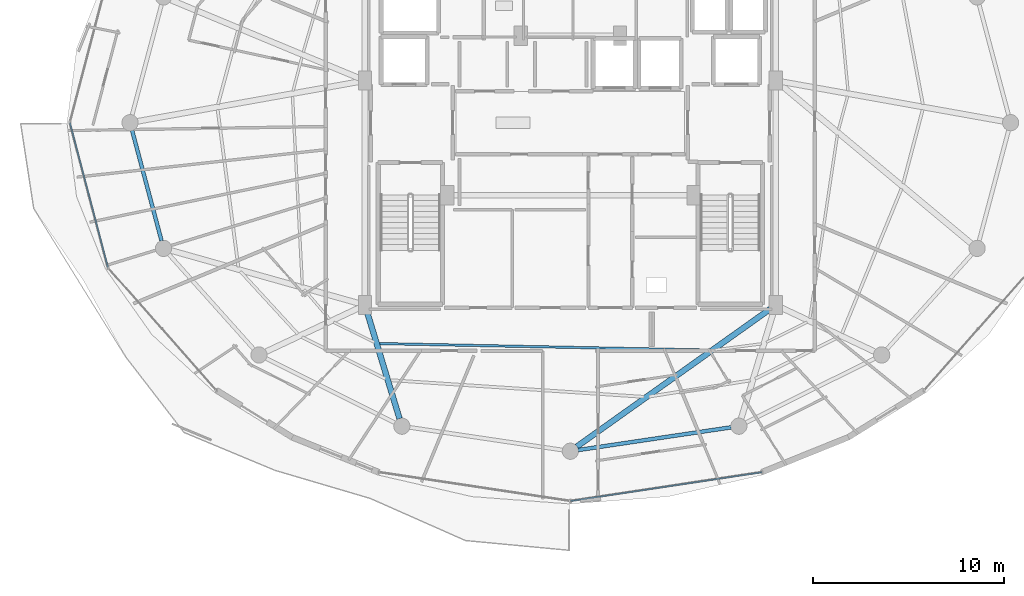
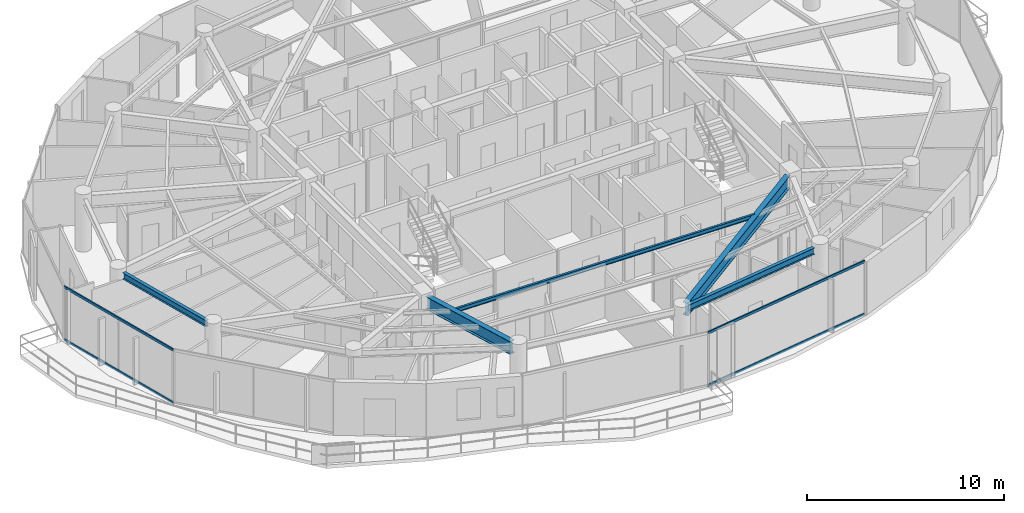
# One storey, part 6 of 31: 5 beams, 4 members, 2 elements without a shape of their own.
"""IFC4 building model written with IfcOpenShell, lengths in metres."""

from ifc_helpers import new_model, si_unit, direction, frame, origin, origin_2d, place, context, subcontext, project, spatial, hollow_rectangle, i_section, extrude, material, material_profile, profile_set, type_object, element, aggregate, save


model = new_model("IFC4")

# Units and contexts
model_context = context("Model", 3, precision=1e-05, world=origin(), true_north=direction((0.0, 1.0)))
body_context = subcontext(model_context, "Body", "Model", "MODEL_VIEW")
ifc_project = project(units=[si_unit("LENGTHUNIT", "METRE"), si_unit("AREAUNIT", "SQUARE_METRE"), si_unit("VOLUMEUNIT", "CUBIC_METRE"), si_unit("PLANEANGLEUNIT", "RADIAN"), si_unit("MASSUNIT", "GRAM", prefix="KILO")], contexts=[model_context])

# Site, building, storey
site_placement = place(None, origin())
site = spatial("IfcSite", under=ifc_project, at=site_placement, CompositionType="ELEMENT")
building_placement = place(site_placement, origin())
building = spatial("IfcBuilding", under=site, at=building_placement, Name="Vorneva Point Tower", CompositionType="ELEMENT")
storey_placement = place(building_placement, frame((0.0, 0.0, 248.449951171875)))
storey = spatial("IfcBuildingStorey", under=building, at=storey_placement, Name="L67", CompositionType="ELEMENT", Elevation=248.449951171875)

# Beams
ifc_material_1 = material(Name="Steel S355", Category="steel")
ifc_material_profile_1 = material_profile(ifc_material_1, i_section(OverallWidth=0.300048828125, OverallDepth=0.7880859375, WebThickness=0.014404296875, FlangeThickness=0.02197265625, at=origin_2d()), Name="80Sh1")
ifc_profile_set_1 = profile_set([ifc_material_profile_1], Name="Steel S355")
beam_type_1 = type_object("IfcBeamType", Name="BM-GRD-80Sh1", PredefinedType="USERDEFINED", material=ifc_profile_set_1)
beam_1_placement = place(storey_placement, frame((29.058837890625, 10.50439453125, 2.89599609375), z_axis=(-0.291032624293, 0.956713129207, 0.0), x_axis=(-0.956713129207, -0.291032624293, 0.0)))
element("IfcBeam", 1, at=beam_1_placement, inside=storey, type_object=beam_type_1, Name="L67 Radial Primary Girder 12", ObjectType="GIRDER", PredefinedType="USERDEFINED", context=body_context, shape_type="SweptSolid", body=[
    extrude(i_section(OverallWidth=0.300048828125, OverallDepth=0.7880859375, WebThickness=0.014404296875, FlangeThickness=0.02197265625, at=origin_2d()), origin(), (0.0, 0.0, 1.0), 5.874755859375),
])
beam_2_placement = place(storey_placement, frame((38.33642578125, 9.03955078125, 2.89599609375), z_axis=(0.814757147543, 0.579802371958, 0.0), x_axis=(-0.579802371958, 0.814757147543, 0.0)))
element("IfcBeam", 2, at=beam_2_placement, inside=storey, type_object=beam_type_1, Name="L67 Radial Primary Girder 13", ObjectType="GIRDER", PredefinedType="USERDEFINED", context=body_context, shape_type="SweptSolid", body=[
    extrude(i_section(OverallWidth=0.300048828125, OverallDepth=0.7880859375, WebThickness=0.014404296875, FlangeThickness=0.02197265625, at=origin_2d()), origin(), (0.0, 0.0, 1.0), 12.441162109375),
])
ifc_material_profile_2 = material_profile(ifc_material_1, i_section(OverallWidth=0.1240234375, OverallDepth=0.248046875, WebThickness=0.0048828125, FlangeThickness=0.008056640625, at=origin_2d()), Name="25B1")
ifc_profile_set_2 = profile_set([ifc_material_profile_2], Name="Steel S355")
beam_type_2 = type_object("IfcBeamType", Name="BM-JST-25B1", PredefinedType="JOIST", material=ifc_profile_set_2)
beam_3_placement = place(storey_placement, frame((28.0, 14.435791015625, 3.166015625), z_axis=(0.999801957281, -0.019900909973, 0.0), x_axis=(0.019900909973, 0.999801957281, 0.0)))
element("IfcBeam", 3, at=beam_3_placement, inside=storey, type_object=beam_type_2, Name="L67 Secondary Floor Beam 2.12", PredefinedType="JOIST", context=body_context, shape_type="SweptSolid", body=[
    extrude(i_section(OverallWidth=0.1240234375, OverallDepth=0.248046875, WebThickness=0.0048828125, FlangeThickness=0.008056640625, at=origin_2d()), origin(), (0.0, 0.0, 1.0), 17.297607421875),
])
ifc_material_profile_3 = material_profile(ifc_material_1, i_section(OverallWidth=0.198974609375, OverallDepth=0.39599609375, WebThickness=0.007080078125, FlangeThickness=0.010986328125, at=origin_2d()), Name="40B1")
ifc_profile_set_3 = profile_set([ifc_material_profile_3], Name="Steel S355")
beam_type_3 = type_object("IfcBeamType", Name="BM-SPN-40B1", PredefinedType="SPANDREL", material=ifc_profile_set_3)
beam_4_placement = place(storey_placement, frame((15.0556640625, 25.603759765625, 3.092041015625), z_axis=(0.257586570866, -0.966255224312, 0.0), x_axis=(0.966255224312, 0.257586570866, 0.0)))
element("IfcBeam", 4, at=beam_4_placement, inside=storey, type_object=beam_type_3, Name="L67 Perimeter Spandrel Ring Beam 09", PredefinedType="SPANDREL", context=body_context, shape_type="SweptSolid", body=[
    extrude(i_section(OverallWidth=0.198974609375, OverallDepth=0.39599609375, WebThickness=0.007080078125, FlangeThickness=0.010986328125, at=origin_2d()), origin(), (0.0, 0.0, 1.0), 5.991943359375),
])
beam_5_placement = place(storey_placement, frame((38.405517578125, 8.860107421875, 3.092041015625), z_axis=(0.989161657331, 0.146830567886, 0.0), x_axis=(-0.146830567886, 0.989161657331, 0.0)))
element("IfcBeam", 5, at=beam_5_placement, inside=storey, type_object=beam_type_3, Name="L67 Perimeter Spandrel Ring Beam 13", PredefinedType="SPANDREL", context=body_context, shape_type="SweptSolid", body=[
    extrude(i_section(OverallWidth=0.198974609375, OverallDepth=0.39599609375, WebThickness=0.007080078125, FlangeThickness=0.010986328125, at=origin_2d()), origin(), (0.0, 0.0, 1.0), 8.097412109375),
])

# Curtain wall, members
ifc_material_2 = material(Name="Pale anodised aluminium", Category="aluminium")
curtain_wall_type = type_object("IfcCurtainWallType", Name="CW-RES-SYS", PredefinedType="NOTDEFINED", material=ifc_material_2)
curtain_wall_1_placement = place(storey_placement, origin())
curtain_wall_1 = element("IfcCurtainWall", 6, at=curtain_wall_1_placement, inside=storey, type_object=curtain_wall_type, Name="L67 Unitised Curtain Wall CW-L67-R03", PredefinedType="NOTDEFINED")
ifc_material_profile_4 = material_profile(ifc_material_2, hollow_rectangle(XDim=0.074951171875, YDim=0.14990234375, WallThickness=0.00390625, at=origin_2d()), Name="AL-TRN 150x75x4")
ifc_profile_set_4 = profile_set([ifc_material_profile_4], Name="Pale anodised aluminium")
member_type = type_object("IfcMemberType", Name="CW-TRN-150", PredefinedType="USERDEFINED", material=ifc_profile_set_4)
member_1_placement = place(storey_placement, frame((11.800048828125, 26.0, 0.02001953125), z_axis=(0.254418180926, -0.967094302131, 0.0), x_axis=(0.967094302131, 0.254418180926, 0.0)))
member_1 = element("IfcMember", 7, at=member_1_placement, type_object=member_type, Name="CW-L67-R03 Transom 03.1", ObjectType="TRANSOM", PredefinedType="USERDEFINED", context=body_context, shape_type="SweptSolid", body=[
    extrude(hollow_rectangle(XDim=0.074951171875, YDim=0.14990234375, WallThickness=0.00390625, at=origin_2d()), origin(), (0.0, 0.0, 1.0), 7.839111328125),
])
member_2_placement = place(storey_placement, frame((11.800048828125, 26.0, 3.27001953125), z_axis=(0.254418180926, -0.967094302131, 0.0), x_axis=(0.967094302131, 0.254418180926, 0.0)))
member_2 = element("IfcMember", 8, at=member_2_placement, type_object=member_type, Name="CW-L67-R03 Transom 03.2", ObjectType="TRANSOM", PredefinedType="USERDEFINED", context=body_context, shape_type="SweptSolid", body=[
    extrude(hollow_rectangle(XDim=0.074951171875, YDim=0.14990234375, WallThickness=0.00390625, at=origin_2d()), origin(), (0.0, 0.0, 1.0), 7.839111328125),
])
aggregate(curtain_wall_1, [member_1, member_2])

curtain_wall_2_placement = place(storey_placement, origin())
curtain_wall_2 = element("IfcCurtainWall", 9, at=curtain_wall_2_placement, inside=storey, type_object=curtain_wall_type, Name="L67 Unitised Curtain Wall CW-L67-R04", PredefinedType="NOTDEFINED")
member_3_placement = place(storey_placement, frame((38.0, 6.18994140625, 0.02001953125), z_axis=(0.988876929856, 0.148736066907, 0.0), x_axis=(-0.148736066907, 0.988876929856, 0.0)))
member_3 = element("IfcMember", 10, at=member_3_placement, type_object=member_type, Name="CW-L67-R04 Transom 02.1", ObjectType="TRANSOM", PredefinedType="USERDEFINED", context=body_context, shape_type="SweptSolid", body=[
    extrude(hollow_rectangle(XDim=0.074951171875, YDim=0.14990234375, WallThickness=0.00390625, at=origin_2d()), origin(), (0.0, 0.0, 1.0), 10.13916015625),
])
member_4_placement = place(storey_placement, frame((38.0, 6.18994140625, 3.27001953125), z_axis=(0.988876929856, 0.148736066907, 0.0), x_axis=(-0.148736066907, 0.988876929856, 0.0)))
member_4 = element("IfcMember", 11, at=member_4_placement, type_object=member_type, Name="CW-L67-R04 Transom 02.2", ObjectType="TRANSOM", PredefinedType="USERDEFINED", context=body_context, shape_type="SweptSolid", body=[
    extrude(hollow_rectangle(XDim=0.074951171875, YDim=0.14990234375, WallThickness=0.00390625, at=origin_2d()), origin(), (0.0, 0.0, 1.0), 10.13916015625),
])
aggregate(curtain_wall_2, [member_3, member_4])

save(model, "model.ifc")
